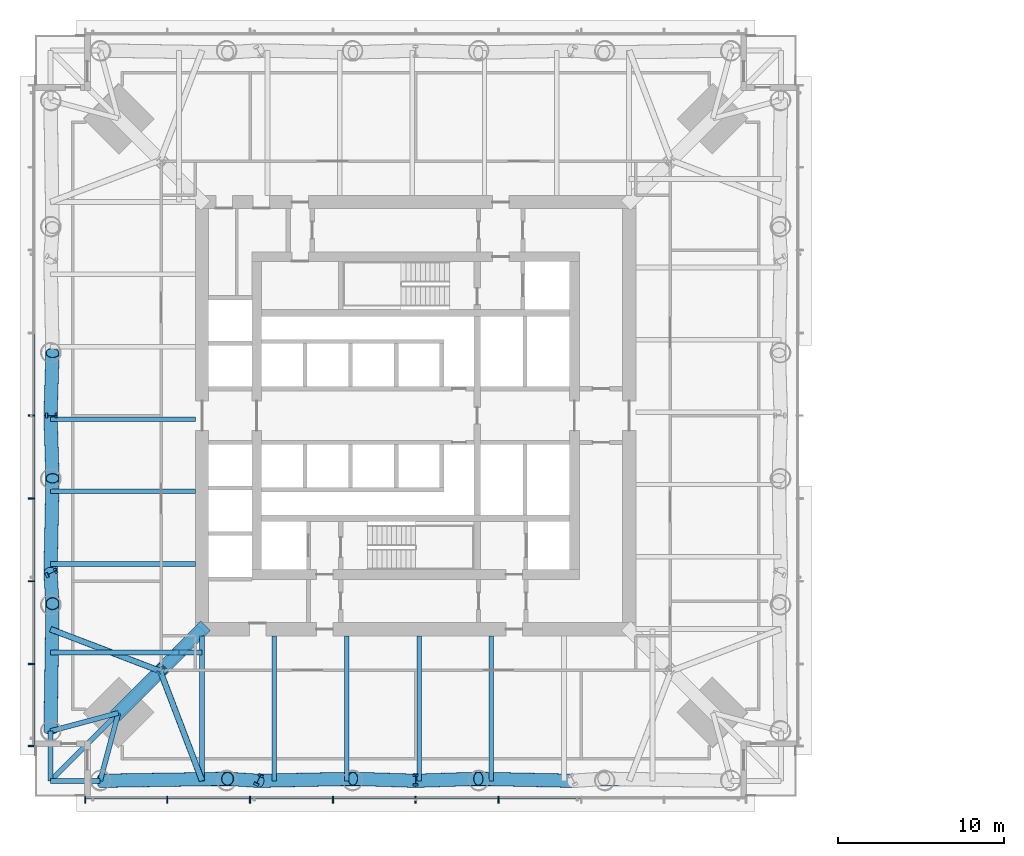
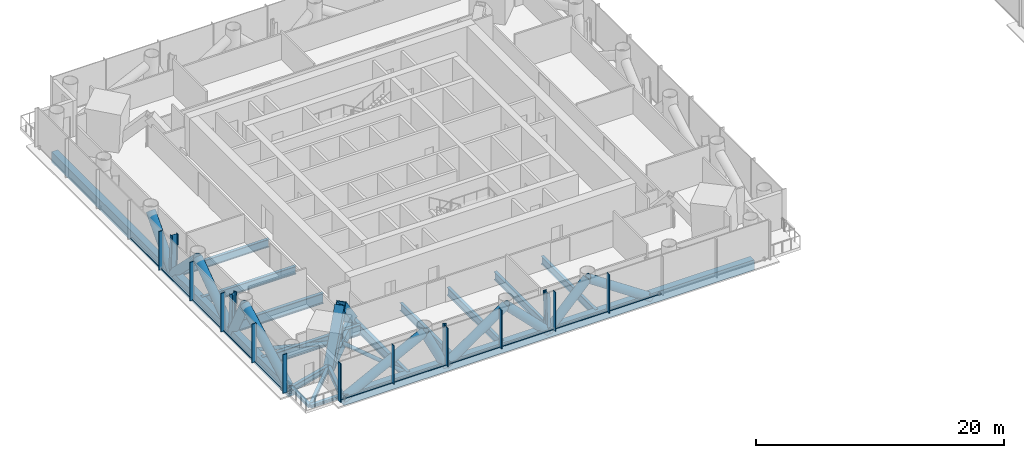
# One storey, part 2 of 28: 45 members, 15 beams, 2 elements without a shape of their own.
"""IFC4 building model written with IfcOpenShell, lengths in metres."""

from ifc_helpers import new_model, si_unit, direction, frame, origin, origin_2d, place, context, subcontext, project, spatial, rectangle, hollow_rectangle, hollow_circle, i_section, extrude, material, material_profile, profile_set, type_object, element, aggregate, save


model = new_model("IFC4")

# Units and contexts
model_context = context("Model", 3, precision=1e-05, world=origin(), true_north=direction((0.0, 1.0)))
body_context = subcontext(model_context, "Body", "Model", "MODEL_VIEW")
ifc_project = project(units=[si_unit("LENGTHUNIT", "METRE"), si_unit("AREAUNIT", "SQUARE_METRE"), si_unit("VOLUMEUNIT", "CUBIC_METRE"), si_unit("PLANEANGLEUNIT", "RADIAN"), si_unit("MASSUNIT", "GRAM", prefix="KILO")], contexts=[model_context])

# Site, building, storey
site_placement = place(None, origin())
site = spatial("IfcSite", under=ifc_project, at=site_placement, CompositionType="ELEMENT")
building_placement = place(site_placement, origin())
building = spatial("IfcBuilding", under=site, at=building_placement, Name="Ostroluk Exchange", CompositionType="ELEMENT")
storey_placement = place(building_placement, frame((0.0, 0.0, 81.800048828125)))
storey = spatial("IfcBuildingStorey", under=building, at=storey_placement, Name="L20", CompositionType="ELEMENT", Elevation=81.800048828125)

# Beams
ifc_material_1 = material(Name="Steel S355", Category="steel")
ifc_material_profile_1 = material_profile(ifc_material_1, i_section(OverallWidth=0.300048828125, OverallDepth=0.300048828125, WebThickness=0.010986328125, FlangeThickness=0.01904296875, FilletRadius=0.027099609375, at=origin_2d()), Name="HEB 300")
ifc_profile_set_1 = profile_set([ifc_material_profile_1], Name="Steel S355")
beam_type_1 = type_object("IfcBeamType", Name="Balcony beam HEB 300", PredefinedType="BEAM", material=ifc_profile_set_1)
for number, where, z_axis, x_axis, name in (
    (1, (22.94287109375, 26.94287109375, -0.429931640625), (0.0, -1.0, 0.0), (1.0, 0.0, 0.0), "T1 west balcony beam a"),
    (2, (25.94287109375, 23.94287109375, -0.429931640625), (-1.0, 0.0, 0.0), (0.0, -1.0, 0.0), "T1 west balcony beam b"),
):
    element("IfcBeam", number, at=place(storey_placement, frame(where, z_axis=z_axis, x_axis=x_axis)), inside=storey, type_object=beam_type_1, Name=name, PredefinedType="BEAM", context=body_context, shape_type="SweptSolid", body=[
        extrude(i_section(OverallWidth=0.300048828125, OverallDepth=0.300048828125, WebThickness=0.010986328125, FlangeThickness=0.01904296875, FilletRadius=0.027099609375, at=origin_2d()), origin(), (0.0, 0.0, 1.0), 3.0),
    ])
beam_1_placement = place(storey_placement, frame((27.04296875, 28.04296875, -0.429931640625), z_axis=(-0.707106781187, -0.707106781187, 0.0), x_axis=(0.707106781187, -0.707106781187, 0.0)))
element("IfcBeam", 3, at=beam_1_placement, inside=storey, type_object=beam_type_1, Name="T1 west balcony beam c", PredefinedType="BEAM", context=body_context, shape_type="SweptSolid", body=[
    extrude(i_section(OverallWidth=0.300048828125, OverallDepth=0.300048828125, WebThickness=0.010986328125, FlangeThickness=0.01904296875, FilletRadius=0.027099609375, at=origin_2d()), origin(), (0.0, 0.0, 1.0), 5.79833984375),
])

# Members
ifc_material_2 = material(Name="Steel S460", Category="steel")
ifc_material_profile_2 = material_profile(ifc_material_2, hollow_rectangle(XDim=0.60009765625, YDim=1.0, WallThickness=0.06005859375, at=origin_2d()), Name="BOX 600x1000x60")
ifc_profile_set_2 = profile_set([ifc_material_profile_2], Name="Steel S460")
member_type_1 = type_object("IfcMemberType", Name="Belt truss chord BOX 600x1000x60", PredefinedType="CHORD", material=ifc_profile_set_2)
for number, where, z_axis, x_axis, name in (
    (4, (22.94287109375, 65.05712890625, -0.780029296875), (0.0, -1.0, 0.0), (1.0, 0.0, 0.0), "Belt truss 1 west chord 1"),
    (5, (25.94287109375, 23.94287109375, -0.780029296875), (1.0, 0.0, 0.0), (0.0, 1.0, 0.0), "Belt truss 1 south chord 1"),
):
    element("IfcMember", number, at=place(storey_placement, frame(where, z_axis=z_axis, x_axis=x_axis)), inside=storey, type_object=member_type_1, Name=name, PredefinedType="CHORD", context=body_context, shape_type="SweptSolid", body=[
        extrude(hollow_rectangle(XDim=0.60009765625, YDim=1.0, WallThickness=0.06005859375, at=origin_2d()), origin(), (0.0, 0.0, 1.0), 38.1142578125),
    ])
ifc_material_3 = material(Name="Steel S460", Category="steel")
ifc_material_profile_3 = material_profile(ifc_material_3, hollow_circle(Radius=0.406494140625, WallThickness=0.030029296875, at=origin_2d()), Name="CHS 813x30")
ifc_profile_set_3 = profile_set([ifc_material_profile_3], Name="Steel S460")
member_type_2 = type_object("IfcMemberType", Name="Belt truss diagonal CHS 813x30", PredefinedType="BRACE", material=ifc_profile_set_3)
for number, where, z_axis, x_axis, name in (
    (6, (22.94287109375, 46.0, -0.780029296875), (0.022611044268, 0.705719353494, 0.708130591615), (-0.999487123287, 0.03202327877, 0.0), "Belt truss 1 west diagonal 1.4"),
    (7, (22.94287109375, 46.0, -0.780029296875), (0.022611044268, -0.705719353494, 0.708130591615), (0.999487123287, 0.03202327877, 0.0), "Belt truss 1 west diagonal 1.5"),
):
    element("IfcMember", number, at=place(storey_placement, frame(where, z_axis=z_axis, x_axis=x_axis)), inside=storey, type_object=member_type_2, Name=name, PredefinedType="BRACE", context=body_context, shape_type="SweptSolid", body=[
        extrude(hollow_circle(Radius=0.406494140625, WallThickness=0.030029296875, at=origin_2d()), origin(), (0.0, 0.0, 1.0), 5.3662109375),
    ])
member_1_placement = place(storey_placement, frame((22.94287109375, 36.471435546875, -0.780029296875), z_axis=(0.017620507461, 0.833765541163, 0.551837421789), x_axis=(-0.999776759238, 0.021128930108, 0.0)))
element("IfcMember", 8, at=member_1_placement, inside=storey, type_object=member_type_2, Name="Belt truss 1 west diagonal 1.6", PredefinedType="BRACE", context=body_context, shape_type="SweptSolid", body=[
    extrude(hollow_circle(Radius=0.406494140625, WallThickness=0.030029296875, at=origin_2d()), origin(), (0.0, 0.0, 1.0), 6.88623046875),
])
member_2_placement = place(storey_placement, frame((22.94287109375, 36.471435546875, -0.780029296875), z_axis=(0.028748440767, -0.434234496648, 0.900341007104), x_axis=(0.997815635309, 0.066060259857, 0.0)))
element("IfcMember", 9, at=member_2_placement, inside=storey, type_object=member_type_2, Name="Belt truss 1 west diagonal 1.7", PredefinedType="BRACE", context=body_context, shape_type="SweptSolid", body=[
    extrude(hollow_circle(Radius=0.406494140625, WallThickness=0.030029296875, at=origin_2d()), origin(), (0.0, 0.0, 1.0), 4.220703125),
])
for number, where, z_axis, x_axis, name in (
    (10, (22.94287109375, 26.94287109375, -0.780029296875), (0.014135797811, 0.896556576647, 0.442703607497), (-0.999875727713, 0.015764806696, 0.0), "Belt truss 1 west diagonal 1.8"),
    (11, (25.94287109375, 23.94287109375, -0.780029296875), (0.896556576647, 0.014135797811, 0.442703607497), (-0.015764806696, 0.999875727713, 0.0), "Belt truss 1 south diagonal 1.1"),
):
    element("IfcMember", number, at=place(storey_placement, frame(where, z_axis=z_axis, x_axis=x_axis)), inside=storey, type_object=member_type_2, Name=name, PredefinedType="BRACE", context=body_context, shape_type="SweptSolid", body=[
        extrude(hollow_circle(Radius=0.406494140625, WallThickness=0.030029296875, at=origin_2d()), origin(), (0.0, 0.0, 1.0), 8.583740234375),
    ])
member_3_placement = place(storey_placement, frame((35.471435546875, 23.94287109375, -0.780029296875), z_axis=(-0.434234496648, 0.028748440767, 0.900341007104), x_axis=(-0.066060259857, -0.997815635309, 0.0)))
element("IfcMember", 12, at=member_3_placement, inside=storey, type_object=member_type_2, Name="Belt truss 1 south diagonal 1.2", PredefinedType="BRACE", context=body_context, shape_type="SweptSolid", body=[
    extrude(hollow_circle(Radius=0.406494140625, WallThickness=0.030029296875, at=origin_2d()), origin(), (0.0, 0.0, 1.0), 4.220703125),
])
member_4_placement = place(storey_placement, frame((35.471435546875, 23.94287109375, -0.780029296875), z_axis=(0.833765541163, 0.017620507461, 0.551837421789), x_axis=(-0.021128930108, 0.999776759238, 0.0)))
element("IfcMember", 13, at=member_4_placement, inside=storey, type_object=member_type_2, Name="Belt truss 1 south diagonal 1.3", PredefinedType="BRACE", context=body_context, shape_type="SweptSolid", body=[
    extrude(hollow_circle(Radius=0.406494140625, WallThickness=0.030029296875, at=origin_2d()), origin(), (0.0, 0.0, 1.0), 6.88623046875),
])
for number, where, z_axis, x_axis, name in (
    (14, (45.0, 23.94287109375, -0.780029296875), (-0.705719353494, 0.022611044268, 0.708130591615), (-0.03202327877, -0.999487123287, 0.0), "Belt truss 1 south diagonal 1.4"),
    (15, (45.0, 23.94287109375, -0.780029296875), (0.705719353494, 0.022611044268, 0.708130591615), (-0.03202327877, 0.999487123287, 0.0), "Belt truss 1 south diagonal 1.5"),
):
    element("IfcMember", number, at=place(storey_placement, frame(where, z_axis=z_axis, x_axis=x_axis)), inside=storey, type_object=member_type_2, Name=name, PredefinedType="BRACE", context=body_context, shape_type="SweptSolid", body=[
        extrude(hollow_circle(Radius=0.406494140625, WallThickness=0.030029296875, at=origin_2d()), origin(), (0.0, 0.0, 1.0), 5.3662109375),
    ])
member_5_placement = place(storey_placement, frame((54.528564453125, 23.94287109375, -0.780029296875), z_axis=(-0.833765541163, 0.017620507461, 0.551837421789), x_axis=(-0.021128930108, -0.999776759238, 0.0)))
element("IfcMember", 16, at=member_5_placement, inside=storey, type_object=member_type_2, Name="Belt truss 1 south diagonal 1.6", PredefinedType="BRACE", context=body_context, shape_type="SweptSolid", body=[
    extrude(hollow_circle(Radius=0.406494140625, WallThickness=0.030029296875, at=origin_2d()), origin(), (0.0, 0.0, 1.0), 6.88623046875),
])
ifc_material_4 = material(Name="Steel S460", Category="steel")
ifc_material_profile_4 = material_profile(ifc_material_4, i_section(OverallWidth=0.304931640625, OverallDepth=0.6201171875, WebThickness=0.02099609375, FlangeThickness=0.0400390625, FilletRadius=0.027099609375, at=origin_2d()), Name="HEM 600")
ifc_profile_set_4 = profile_set([ifc_material_profile_4], Name="Steel S460")
member_type_3 = type_object("IfcMemberType", Name="Belt truss post HEM 600", PredefinedType="POST", material=ifc_profile_set_4)
member_6_placement = place(storey_placement, frame((22.94287109375, 46.0, -0.780029296875), z_axis=(0.031914348339, 0.0, 0.999490607445), x_axis=(0.0, 1.0, 0.0)))
element("IfcMember", 17, at=member_6_placement, inside=storey, type_object=member_type_3, Name="Belt truss 1 west post 1.4", PredefinedType="POST", context=body_context, shape_type="SweptSolid", body=[
    extrude(i_section(OverallWidth=0.304931640625, OverallDepth=0.6201171875, WebThickness=0.02099609375, FlangeThickness=0.0400390625, FilletRadius=0.027099609375, at=origin_2d()), origin(), (0.0, 0.0, 1.0), 3.802001953125),
])
for number, where, z_axis, x_axis, name in (
    (18, (22.94287109375, 36.471435546875, -0.780029296875), (0.031910269556, 0.015987237665, 0.999362868496), (-0.447933021895, 0.894067115991, 0.0), "Belt truss 1 west post 1.6"),
    (19, (35.471435546875, 23.94287109375, -0.780029296875), (0.015987237665, 0.031910269556, 0.999362868496), (-0.894067115991, 0.447933021895, 0.0), "Belt truss 1 south post 1.2"),
):
    element("IfcMember", number, at=place(storey_placement, frame(where, z_axis=z_axis, x_axis=x_axis)), inside=storey, type_object=member_type_3, Name=name, PredefinedType="POST", context=body_context, shape_type="SweptSolid", body=[
        extrude(i_section(OverallWidth=0.304931640625, OverallDepth=0.6201171875, WebThickness=0.02099609375, FlangeThickness=0.0400390625, FilletRadius=0.027099609375, at=origin_2d()), origin(), (0.0, 0.0, 1.0), 3.802490234375),
    ])
member_7_placement = place(storey_placement, frame((45.0, 23.94287109375, -0.780029296875), z_axis=(0.0, 0.031914348339, 0.999490607445), x_axis=(-1.0, 0.0, 0.0)))
element("IfcMember", 20, at=member_7_placement, inside=storey, type_object=member_type_3, Name="Belt truss 1 south post 1.4", PredefinedType="POST", context=body_context, shape_type="SweptSolid", body=[
    extrude(i_section(OverallWidth=0.304931640625, OverallDepth=0.6201171875, WebThickness=0.02099609375, FlangeThickness=0.0400390625, FilletRadius=0.027099609375, at=origin_2d()), origin(), (0.0, 0.0, 1.0), 3.802001953125),
])

# Beams
ifc_material_5 = material(Name="Steel S355", Category="steel")
ifc_material_profile_5 = material_profile(ifc_material_5, i_section(OverallWidth=0.300048828125, OverallDepth=0.550048828125, WebThickness=0.014892578125, FlangeThickness=0.029052734375, FilletRadius=0.027099609375, at=origin_2d()), Name="HEB 550")
ifc_profile_set_5 = profile_set([ifc_material_profile_5], Name="Steel S355")
beam_type_2 = type_object("IfcBeamType", Name="Corner edge beam HEB 550", PredefinedType="SPANDREL", material=ifc_profile_set_5)
for number, where, z_axis, x_axis, name in (
    (21, (27.04296875, 28.04296875, -0.554931640625), (-0.965838624319, -0.259144268261, 0.0), (0.259144268261, -0.965838624319, 0.0), "T1 west corner edge beam a"),
    (22, (27.04296875, 28.04296875, -0.554931640625), (-0.259144268261, -0.965838624319, 0.0), (0.965838624319, -0.259144268261, 0.0), "T1 west corner edge beam b"),
):
    element("IfcBeam", number, at=place(storey_placement, frame(where, z_axis=z_axis, x_axis=x_axis)), inside=storey, type_object=beam_type_2, Name=name, PredefinedType="SPANDREL", context=body_context, shape_type="SweptSolid", body=[
        extrude(i_section(OverallWidth=0.300048828125, OverallDepth=0.550048828125, WebThickness=0.014892578125, FlangeThickness=0.029052734375, FilletRadius=0.027099609375, at=origin_2d()), origin(), (0.0, 0.0, 1.0), 4.2451171875),
    ])
ifc_material_6 = material(Name="Steel S355", Category="steel")
ifc_material_profile_6 = material_profile(ifc_material_6, i_section(OverallWidth=0.302001953125, OverallDepth=1.008056640625, WebThickness=0.02099609375, FlangeThickness=0.0400390625, FilletRadius=0.030029296875, at=origin_2d()), Name="HEM 1000")
ifc_profile_set_6 = profile_set([ifc_material_profile_6], Name="Steel S355")
beam_type_3 = type_object("IfcBeamType", Name="Floor beam HEM 1000", PredefinedType="BEAM", material=ifc_profile_set_6)
beam_2_placement = place(storey_placement, frame((31.699951171875, 37.0517578125, -0.783935546875), z_axis=(-1.0, 0.0, 0.0), x_axis=(0.0, -1.0, 0.0)))
element("IfcBeam", 23, at=beam_2_placement, inside=storey, type_object=beam_type_3, Name="T1 west floor beam 5", PredefinedType="BEAM", context=body_context, shape_type="SweptSolid", body=[
    extrude(i_section(OverallWidth=0.302001953125, OverallDepth=1.008056640625, WebThickness=0.02099609375, FlangeThickness=0.0400390625, FilletRadius=0.030029296875, at=origin_2d()), origin(), (0.0, 0.0, 1.0), 8.757080078125),
])
beam_3_placement = place(storey_placement, frame((32.10009765625, 31.699951171875, -0.783935546875), z_axis=(-1.0, 0.0, 0.0), x_axis=(0.0, -1.0, 0.0)))
element("IfcBeam", 24, at=beam_3_placement, inside=storey, type_object=beam_type_3, Name="T1 west floor beam 6", PredefinedType="BEAM", context=body_context, shape_type="SweptSolid", body=[
    extrude(i_section(OverallWidth=0.302001953125, OverallDepth=1.008056640625, WebThickness=0.02099609375, FlangeThickness=0.0400390625, FilletRadius=0.030029296875, at=origin_2d()), origin(), (0.0, 0.0, 1.0), 1.400146484375),
])
beam_4_placement = place(storey_placement, frame((30.699951171875, 31.699951171875, -0.783935546875), z_axis=(-1.0, 0.0, 0.0), x_axis=(0.0, -1.0, 0.0)))
element("IfcBeam", 25, at=beam_4_placement, inside=storey, type_object=beam_type_3, Name="T1 west floor beam 6", PredefinedType="BEAM", context=body_context, shape_type="SweptSolid", body=[
    extrude(i_section(OverallWidth=0.302001953125, OverallDepth=1.008056640625, WebThickness=0.02099609375, FlangeThickness=0.0400390625, FilletRadius=0.030029296875, at=origin_2d()), origin(), (0.0, 0.0, 1.0), 7.757080078125),
])
ifc_material_7 = material(Name="Steel S355", Category="steel")
ifc_material_profile_7 = material_profile(ifc_material_7, i_section(OverallWidth=0.26806640625, OverallDepth=0.77001953125, WebThickness=0.015625, FlangeThickness=0.025390625, FilletRadius=0.01708984375, at=origin_2d()), Name="IPE 750x196")
ifc_profile_set_7 = profile_set([ifc_material_profile_7], Name="Steel S355")
beam_type_4 = type_object("IfcBeamType", Name="Floor beam IPE 750x196", PredefinedType="BEAM", material=ifc_profile_set_7)
for number, where, z_axis, x_axis, name in (
    (26, (31.699951171875, 45.791015625, -0.6650390625), (-1.0, 0.0, 0.0), (0.0, -1.0, 0.0), "T1 west floor beam 3"),
    (27, (31.699951171875, 41.42138671875, -0.6650390625), (-1.0, 0.0, 0.0), (0.0, -1.0, 0.0), "T1 west floor beam 4"),
    (28, (36.4697265625, 32.699951171875, -0.6650390625), (0.0, -1.0, 0.0), (1.0, 0.0, 0.0), "T1 south floor beam 1"),
    (29, (40.83935546875, 32.699951171875, -0.6650390625), (0.0, -1.0, 0.0), (1.0, 0.0, 0.0), "T1 south floor beam 2"),
    (30, (45.208984375, 32.699951171875, -0.6650390625), (0.0, -1.0, 0.0), (1.0, 0.0, 0.0), "T1 south floor beam 3"),
    (31, (49.57861328125, 32.699951171875, -0.6650390625), (0.0, -1.0, 0.0), (1.0, 0.0, 0.0), "T1 south floor beam 4"),
):
    element("IfcBeam", number, at=place(storey_placement, frame(where, z_axis=z_axis, x_axis=x_axis)), inside=storey, type_object=beam_type_4, Name=name, PredefinedType="BEAM", context=body_context, shape_type="SweptSolid", body=[
        extrude(i_section(OverallWidth=0.26806640625, OverallDepth=0.77001953125, WebThickness=0.015625, FlangeThickness=0.025390625, FilletRadius=0.01708984375, at=origin_2d()), origin(), (0.0, 0.0, 1.0), 8.757080078125),
    ])
ifc_material_8 = material(Name="Steel S355", Category="steel")
ifc_material_profile_8 = material_profile(ifc_material_8, i_section(OverallWidth=0.300048828125, OverallDepth=0.89990234375, WebThickness=0.0185546875, FlangeThickness=0.034912109375, FilletRadius=0.030029296875, at=origin_2d()), Name="HEB 900")
ifc_profile_set_8 = profile_set([ifc_material_profile_8], Name="Steel S355")
beam_type_5 = type_object("IfcBeamType", Name="Girder HEB 900", PredefinedType="BEAM", material=ifc_profile_set_8)
beam_5_placement = place(storey_placement, frame((32.10009765625, 32.699951171875, -0.72998046875), z_axis=(0.0, -1.0, 0.0), x_axis=(1.0, 0.0, 0.0)))
element("IfcBeam", 32, at=beam_5_placement, inside=storey, type_object=beam_type_5, Name="T1 west girder", PredefinedType="BEAM", context=body_context, shape_type="SweptSolid", body=[
    extrude(i_section(OverallWidth=0.300048828125, OverallDepth=0.89990234375, WebThickness=0.0185546875, FlangeThickness=0.034912109375, FilletRadius=0.030029296875, at=origin_2d()), origin(), (0.0, 0.0, 1.0), 8.757080078125),
])

# Members
ifc_material_9 = material(Name="Steel S460", Category="steel")
ifc_material_profile_9 = material_profile(ifc_material_9, hollow_rectangle(XDim=0.60009765625, YDim=1.0, WallThickness=0.06005859375, at=origin_2d()), Name="BOX 600x1000x60")
ifc_profile_set_9 = profile_set([ifc_material_profile_9], Name="Steel S460")
member_type_4 = type_object("IfcMemberType", Name="Outrigger chord BOX 600x1000x60", PredefinedType="CHORD", material=ifc_profile_set_9)
member_8_placement = place(storey_placement, frame((32.10009765625, 33.10009765625, -0.780029296875), z_axis=(-0.707106781187, -0.707106781187, 0.0), x_axis=(0.707106781187, -0.707106781187, 0.0)))
element("IfcMember", 33, at=member_8_placement, inside=storey, type_object=member_type_4, Name="Outrigger 1 SW chord 1", PredefinedType="CHORD", context=body_context, shape_type="SweptSolid", body=[
    extrude(hollow_rectangle(XDim=0.60009765625, YDim=1.0, WallThickness=0.06005859375, at=origin_2d()), origin(), (0.0, 0.0, 1.0), 7.15185546875),
])
ifc_material_10 = material(Name="Steel S460", Category="steel")
ifc_material_profile_10 = material_profile(ifc_material_10, hollow_rectangle(XDim=0.800048828125, YDim=0.800048828125, WallThickness=0.050048828125, at=origin_2d()), Name="BOX 800x800x50")
ifc_profile_set_10 = profile_set([ifc_material_profile_10], Name="Steel S460")
member_type_5 = type_object("IfcMemberType", Name="Outrigger diagonal BOX 800x800x50", PredefinedType="BRACE", material=ifc_profile_set_10)
member_9_placement = place(storey_placement, frame((32.10009765625, 33.10009765625, -0.780029296875), z_axis=(-0.478324994518, -0.478324994518, 0.736485165661), x_axis=(0.707106781187, -0.707106781187, 0.0)))
element("IfcMember", 34, at=member_9_placement, inside=storey, type_object=member_type_5, Name="Outrigger 1 SW diagonal 1a", PredefinedType="BRACE", context=body_context, shape_type="SweptSolid", body=[
    extrude(hollow_rectangle(XDim=0.800048828125, YDim=0.800048828125, WallThickness=0.050048828125, at=origin_2d()), origin(), (0.0, 0.0, 1.0), 5.15966796875),
])
member_10_placement = place(storey_placement, frame((29.632080078125, 30.632080078125, 3.02001953125), z_axis=(-0.490635155157, -0.490635155157, -0.720107137201), x_axis=(0.707106781187, -0.707106781187, 0.0)))
element("IfcMember", 35, at=member_10_placement, inside=storey, type_object=member_type_5, Name="Outrigger 1 SW diagonal 1b", PredefinedType="BRACE", context=body_context, shape_type="SweptSolid", body=[
    extrude(hollow_rectangle(XDim=0.800048828125, YDim=0.800048828125, WallThickness=0.050048828125, at=origin_2d()), origin(), (0.0, 0.0, 1.0), 5.277099609375),
])
ifc_material_11 = material(Name="Steel S460", Category="steel")
ifc_material_profile_11 = material_profile(ifc_material_11, i_section(OverallWidth=0.306884765625, OverallDepth=0.431884765625, WebThickness=0.02099609375, FlangeThickness=0.0400390625, FilletRadius=0.027099609375, at=origin_2d()), Name="HEM 400")
ifc_profile_set_11 = profile_set([ifc_material_profile_11], Name="Steel S460")
member_type_6 = type_object("IfcMemberType", Name="Outrigger post HEM 400", PredefinedType="POST", material=ifc_profile_set_11)
member_11_placement = place(storey_placement, frame((29.571533203125, 30.571533203125, -0.780029296875), z_axis=(0.015929140065, 0.015929140065, 0.999746230297), x_axis=(-0.707106781187, 0.707106781187, 0.0)))
element("IfcMember", 36, at=member_11_placement, inside=storey, type_object=member_type_6, Name="Outrigger 1 SW post 1", PredefinedType="POST", context=body_context, shape_type="SweptSolid", body=[
    extrude(i_section(OverallWidth=0.306884765625, OverallDepth=0.431884765625, WebThickness=0.02099609375, FlangeThickness=0.0400390625, FilletRadius=0.027099609375, at=origin_2d()), origin(), (0.0, 0.0, 1.0), 3.801025390625),
])
ifc_material_12 = material(Name="Steel S460", Category="steel")
ifc_material_profile_12 = material_profile(ifc_material_12, hollow_circle(Radius=0.177734375, WallThickness=0.012451171875, at=origin_2d()), Name="CHS 355.6x12.5")
ifc_profile_set_12 = profile_set([ifc_material_profile_12], Name="Steel S460")
member_type_7 = type_object("IfcMemberType", Name="Plan bracing CHS 355.6x12.5", PredefinedType="BRACE", material=ifc_profile_set_12)
for number, where, z_axis, x_axis, name in (
    (37, (29.571533203125, 30.571533203125, -0.457763671875), (-0.934330096119, 0.356408854389, 0.0), (-0.356408854389, -0.934330096119, 0.0), "Plan bracing L20 SW a"),
    (38, (29.571533203125, 30.571533203125, -0.457763671875), (0.356408854389, -0.934330096119, 0.0), (0.934330096119, 0.356408854389, 0.0), "Plan bracing L20 SW b"),
):
    element("IfcMember", number, at=place(storey_placement, frame(where, z_axis=z_axis, x_axis=x_axis)), inside=storey, type_object=member_type_7, Name=name, PredefinedType="BRACE", context=body_context, shape_type="SweptSolid", body=[
        extrude(hollow_circle(Radius=0.177734375, WallThickness=0.012451171875, at=origin_2d()), origin(), (0.0, 0.0, 1.0), 7.094482421875),
    ])

# Curtain wall, members
ifc_material_13 = material(Name="Laminated clear glass", Category="glass")
curtain_wall_type = type_object("IfcCurtainWallType", Name="Office tower plant and sky lobby facade", PredefinedType="USERDEFINED", material=ifc_material_13)
curtain_wall_1_placement = place(storey_placement, origin())
curtain_wall_1 = element("IfcCurtainWall", 39, at=curtain_wall_1_placement, inside=storey, type_object=curtain_wall_type, Name="Office tower south facade L20", ObjectType="LOUVRED CURTAIN WALL", PredefinedType="USERDEFINED")
ifc_material_14 = material(Name="Aluminium mullion", Category="aluminium")
ifc_material_profile_13 = material_profile(ifc_material_14, rectangle(XDim=0.14990234375, YDim=0.080078125, at=origin_2d()), Name="Sill transom 80 x 150")
ifc_profile_set_13 = profile_set([ifc_material_profile_13], Name="Aluminium mullion")
member_type_8 = type_object("IfcMemberType", Name="Sill transom 80 x 150", PredefinedType="USERDEFINED", material=ifc_profile_set_13)
member_12_placement = place(storey_placement, frame((25.080078125, 22.925048828125, 0.0400390625), z_axis=(1.0, 0.0, 0.0), x_axis=(0.0, 1.0, 0.0)))
member_12 = element("IfcMember", 40, at=member_12_placement, type_object=member_type_8, Name="CW-P1 transom 1.1", ObjectType="TRANSOM", PredefinedType="USERDEFINED", context=body_context, shape_type="SweptSolid", body=[
    extrude(rectangle(XDim=0.14990234375, YDim=0.080078125, at=origin_2d()), origin(), (0.0, 0.0, 1.0), 4.8798828125),
])
member_13_placement = place(storey_placement, frame((30.0400390625, 22.925048828125, 0.0400390625), z_axis=(1.0, 0.0, 0.0), x_axis=(0.0, 1.0, 0.0)))
member_13 = element("IfcMember", 41, at=member_13_placement, type_object=member_type_8, Name="CW-P1 transom 2.1", ObjectType="TRANSOM", PredefinedType="USERDEFINED", context=body_context, shape_type="SweptSolid", body=[
    extrude(rectangle(XDim=0.14990234375, YDim=0.080078125, at=origin_2d()), origin(), (0.0, 0.0, 1.0), 4.919921875),
])
member_14_placement = place(storey_placement, frame((35.0400390625, 22.925048828125, 0.0400390625), z_axis=(1.0, 0.0, 0.0), x_axis=(0.0, 1.0, 0.0)))
member_14 = element("IfcMember", 42, at=member_14_placement, type_object=member_type_8, Name="CW-P1 transom 3.1", ObjectType="TRANSOM", PredefinedType="USERDEFINED", context=body_context, shape_type="SweptSolid", body=[
    extrude(rectangle(XDim=0.14990234375, YDim=0.080078125, at=origin_2d()), origin(), (0.0, 0.0, 1.0), 4.919921875),
])
member_15_placement = place(storey_placement, frame((40.0400390625, 22.925048828125, 0.0400390625), z_axis=(1.0, 0.0, 0.0), x_axis=(0.0, 1.0, 0.0)))
member_15 = element("IfcMember", 43, at=member_15_placement, type_object=member_type_8, Name="CW-P1 transom 4.1", ObjectType="TRANSOM", PredefinedType="USERDEFINED", context=body_context, shape_type="SweptSolid", body=[
    extrude(rectangle(XDim=0.14990234375, YDim=0.080078125, at=origin_2d()), origin(), (0.0, 0.0, 1.0), 4.919921875),
])
member_16_placement = place(storey_placement, frame((45.0400390625, 22.925048828125, 0.0400390625), z_axis=(1.0, 0.0, 0.0), x_axis=(0.0, 1.0, 0.0)))
member_16 = element("IfcMember", 44, at=member_16_placement, type_object=member_type_8, Name="CW-P1 transom 5.1", ObjectType="TRANSOM", PredefinedType="USERDEFINED", context=body_context, shape_type="SweptSolid", body=[
    extrude(rectangle(XDim=0.14990234375, YDim=0.080078125, at=origin_2d()), origin(), (0.0, 0.0, 1.0), 4.919921875),
])
member_17_placement = place(storey_placement, frame((50.0400390625, 22.925048828125, 0.0400390625), z_axis=(1.0, 0.0, 0.0), x_axis=(0.0, 1.0, 0.0)))
member_17 = element("IfcMember", 45, at=member_17_placement, type_object=member_type_8, Name="CW-P1 transom 6.1", ObjectType="TRANSOM", PredefinedType="USERDEFINED", context=body_context, shape_type="SweptSolid", body=[
    extrude(rectangle(XDim=0.14990234375, YDim=0.080078125, at=origin_2d()), origin(), (0.0, 0.0, 1.0), 4.919921875),
])

curtain_wall_2_placement = place(storey_placement, origin())
curtain_wall_2 = element("IfcCurtainWall", 46, at=curtain_wall_2_placement, inside=storey, type_object=curtain_wall_type, Name="Office tower west facade L20", ObjectType="LOUVRED CURTAIN WALL", PredefinedType="USERDEFINED")
member_18_placement = place(storey_placement, frame((21.925048828125, 50.9599609375, 0.0400390625), z_axis=(0.0, -1.0, 0.0), x_axis=(1.0, 0.0, 0.0)))
member_18 = element("IfcMember", 47, at=member_18_placement, type_object=member_type_8, Name="CW-P1 transom 4.1", ObjectType="TRANSOM", PredefinedType="USERDEFINED", context=body_context, shape_type="SweptSolid", body=[
    extrude(rectangle(XDim=0.14990234375, YDim=0.080078125, at=origin_2d()), origin(), (0.0, 0.0, 1.0), 4.919921875),
])
member_19_placement = place(storey_placement, frame((21.925048828125, 45.9599609375, 0.0400390625), z_axis=(0.0, -1.0, 0.0), x_axis=(1.0, 0.0, 0.0)))
member_19 = element("IfcMember", 48, at=member_19_placement, type_object=member_type_8, Name="CW-P1 transom 5.1", ObjectType="TRANSOM", PredefinedType="USERDEFINED", context=body_context, shape_type="SweptSolid", body=[
    extrude(rectangle(XDim=0.14990234375, YDim=0.080078125, at=origin_2d()), origin(), (0.0, 0.0, 1.0), 4.919921875),
])
member_20_placement = place(storey_placement, frame((21.925048828125, 40.9599609375, 0.0400390625), z_axis=(0.0, -1.0, 0.0), x_axis=(1.0, 0.0, 0.0)))
member_20 = element("IfcMember", 49, at=member_20_placement, type_object=member_type_8, Name="CW-P1 transom 6.1", ObjectType="TRANSOM", PredefinedType="USERDEFINED", context=body_context, shape_type="SweptSolid", body=[
    extrude(rectangle(XDim=0.14990234375, YDim=0.080078125, at=origin_2d()), origin(), (0.0, 0.0, 1.0), 4.919921875),
])
member_21_placement = place(storey_placement, frame((21.925048828125, 35.9599609375, 0.0400390625), z_axis=(0.0, -1.0, 0.0), x_axis=(1.0, 0.0, 0.0)))
member_21 = element("IfcMember", 50, at=member_21_placement, type_object=member_type_8, Name="CW-P1 transom 7.1", ObjectType="TRANSOM", PredefinedType="USERDEFINED", context=body_context, shape_type="SweptSolid", body=[
    extrude(rectangle(XDim=0.14990234375, YDim=0.080078125, at=origin_2d()), origin(), (0.0, 0.0, 1.0), 4.919921875),
])
member_22_placement = place(storey_placement, frame((21.925048828125, 30.9599609375, 0.0400390625), z_axis=(0.0, -1.0, 0.0), x_axis=(1.0, 0.0, 0.0)))
member_22 = element("IfcMember", 51, at=member_22_placement, type_object=member_type_8, Name="CW-P1 transom 8.1", ObjectType="TRANSOM", PredefinedType="USERDEFINED", context=body_context, shape_type="SweptSolid", body=[
    extrude(rectangle(XDim=0.14990234375, YDim=0.080078125, at=origin_2d()), origin(), (0.0, 0.0, 1.0), 4.8798828125),
])

# Member
ifc_material_15 = material(Name="Aluminium mullion with limestone facing", Category="masonry")
ifc_material_profile_14 = material_profile(ifc_material_15, rectangle(XDim=0.39990234375, YDim=0.080078125, at=origin_2d()), Name="Tracery mullion 80 x 400")
ifc_profile_set_14 = profile_set([ifc_material_profile_14], Name="Aluminium mullion with limestone facing")
member_type_9 = type_object("IfcMemberType", Name="Tracery mullion 80 x 400", PredefinedType="MULLION", material=ifc_profile_set_14)
member_23_placement = place(storey_placement, frame((25.0400390625, 22.800048828125, 0.0), z_axis=(0.0, 0.0, 1.0), x_axis=(0.0, 1.0, 0.0)))
member_23 = element("IfcMember", 52, at=member_23_placement, type_object=member_type_9, Name="CW-P1 mullion 1", PredefinedType="MULLION", context=body_context, shape_type="SweptSolid", body=[
    extrude(rectangle(XDim=0.39990234375, YDim=0.080078125, at=origin_2d()), origin(), (0.0, 0.0, 1.0), 3.800048828125),
])

member_24_placement = place(storey_placement, frame((30.0, 22.800048828125, 0.0), z_axis=(0.0, 0.0, 1.0), x_axis=(0.0, 1.0, 0.0)))
member_24 = element("IfcMember", 53, at=member_24_placement, type_object=member_type_9, Name="CW-P1 mullion 2", PredefinedType="MULLION", context=body_context, shape_type="SweptSolid", body=[
    extrude(rectangle(XDim=0.39990234375, YDim=0.080078125, at=origin_2d()), origin(), (0.0, 0.0, 1.0), 3.800048828125),
])

member_25_placement = place(storey_placement, frame((35.0, 22.800048828125, 0.0), z_axis=(0.0, 0.0, 1.0), x_axis=(0.0, 1.0, 0.0)))
member_25 = element("IfcMember", 54, at=member_25_placement, type_object=member_type_9, Name="CW-P1 mullion 3", PredefinedType="MULLION", context=body_context, shape_type="SweptSolid", body=[
    extrude(rectangle(XDim=0.39990234375, YDim=0.080078125, at=origin_2d()), origin(), (0.0, 0.0, 1.0), 3.800048828125),
])

member_26_placement = place(storey_placement, frame((40.0, 22.800048828125, 0.0), z_axis=(0.0, 0.0, 1.0), x_axis=(0.0, 1.0, 0.0)))
member_26 = element("IfcMember", 55, at=member_26_placement, type_object=member_type_9, Name="CW-P1 mullion 4", PredefinedType="MULLION", context=body_context, shape_type="SweptSolid", body=[
    extrude(rectangle(XDim=0.39990234375, YDim=0.080078125, at=origin_2d()), origin(), (0.0, 0.0, 1.0), 3.800048828125),
])

member_27_placement = place(storey_placement, frame((45.0, 22.800048828125, 0.0), z_axis=(0.0, 0.0, 1.0), x_axis=(0.0, 1.0, 0.0)))
member_27 = element("IfcMember", 56, at=member_27_placement, type_object=member_type_9, Name="CW-P1 mullion 5", PredefinedType="MULLION", context=body_context, shape_type="SweptSolid", body=[
    extrude(rectangle(XDim=0.39990234375, YDim=0.080078125, at=origin_2d()), origin(), (0.0, 0.0, 1.0), 3.800048828125),
])

member_28_placement = place(storey_placement, frame((50.0, 22.800048828125, 0.0), z_axis=(0.0, 0.0, 1.0), x_axis=(0.0, 1.0, 0.0)))
member_28 = element("IfcMember", 57, at=member_28_placement, type_object=member_type_9, Name="CW-P1 mullion 6", PredefinedType="MULLION", context=body_context, shape_type="SweptSolid", body=[
    extrude(rectangle(XDim=0.39990234375, YDim=0.080078125, at=origin_2d()), origin(), (0.0, 0.0, 1.0), 3.800048828125),
])

aggregate(curtain_wall_1, [member_23, member_24, member_25, member_26, member_27, member_28, member_12, member_13, member_14, member_15, member_16, member_17])

member_29_placement = place(storey_placement, frame((21.800048828125, 46.0, 0.0), z_axis=(0.0, 0.0, 1.0), x_axis=(1.0, 0.0, 0.0)))
member_29 = element("IfcMember", 58, at=member_29_placement, type_object=member_type_9, Name="CW-P1 mullion 5", PredefinedType="MULLION", context=body_context, shape_type="SweptSolid", body=[
    extrude(rectangle(XDim=0.39990234375, YDim=0.080078125, at=origin_2d()), origin(), (0.0, 0.0, 1.0), 3.800048828125),
])

member_30_placement = place(storey_placement, frame((21.800048828125, 41.0, 0.0), z_axis=(0.0, 0.0, 1.0), x_axis=(1.0, 0.0, 0.0)))
member_30 = element("IfcMember", 59, at=member_30_placement, type_object=member_type_9, Name="CW-P1 mullion 6", PredefinedType="MULLION", context=body_context, shape_type="SweptSolid", body=[
    extrude(rectangle(XDim=0.39990234375, YDim=0.080078125, at=origin_2d()), origin(), (0.0, 0.0, 1.0), 3.800048828125),
])

member_31_placement = place(storey_placement, frame((21.800048828125, 36.0, 0.0), z_axis=(0.0, 0.0, 1.0), x_axis=(1.0, 0.0, 0.0)))
member_31 = element("IfcMember", 60, at=member_31_placement, type_object=member_type_9, Name="CW-P1 mullion 7", PredefinedType="MULLION", context=body_context, shape_type="SweptSolid", body=[
    extrude(rectangle(XDim=0.39990234375, YDim=0.080078125, at=origin_2d()), origin(), (0.0, 0.0, 1.0), 3.800048828125),
])

member_32_placement = place(storey_placement, frame((21.800048828125, 31.0, 0.0), z_axis=(0.0, 0.0, 1.0), x_axis=(1.0, 0.0, 0.0)))
member_32 = element("IfcMember", 61, at=member_32_placement, type_object=member_type_9, Name="CW-P1 mullion 8", PredefinedType="MULLION", context=body_context, shape_type="SweptSolid", body=[
    extrude(rectangle(XDim=0.39990234375, YDim=0.080078125, at=origin_2d()), origin(), (0.0, 0.0, 1.0), 3.800048828125),
])

member_33_placement = place(storey_placement, frame((21.800048828125, 26.0400390625, 0.0), z_axis=(0.0, 0.0, 1.0), x_axis=(1.0, 0.0, 0.0)))
member_33 = element("IfcMember", 62, at=member_33_placement, type_object=member_type_9, Name="CW-P1 mullion 9", PredefinedType="MULLION", context=body_context, shape_type="SweptSolid", body=[
    extrude(rectangle(XDim=0.39990234375, YDim=0.080078125, at=origin_2d()), origin(), (0.0, 0.0, 1.0), 3.800048828125),
])

aggregate(curtain_wall_2, [member_29, member_30, member_31, member_32, member_33, member_18, member_19, member_20, member_21, member_22])

save(model, "model.ifc")
